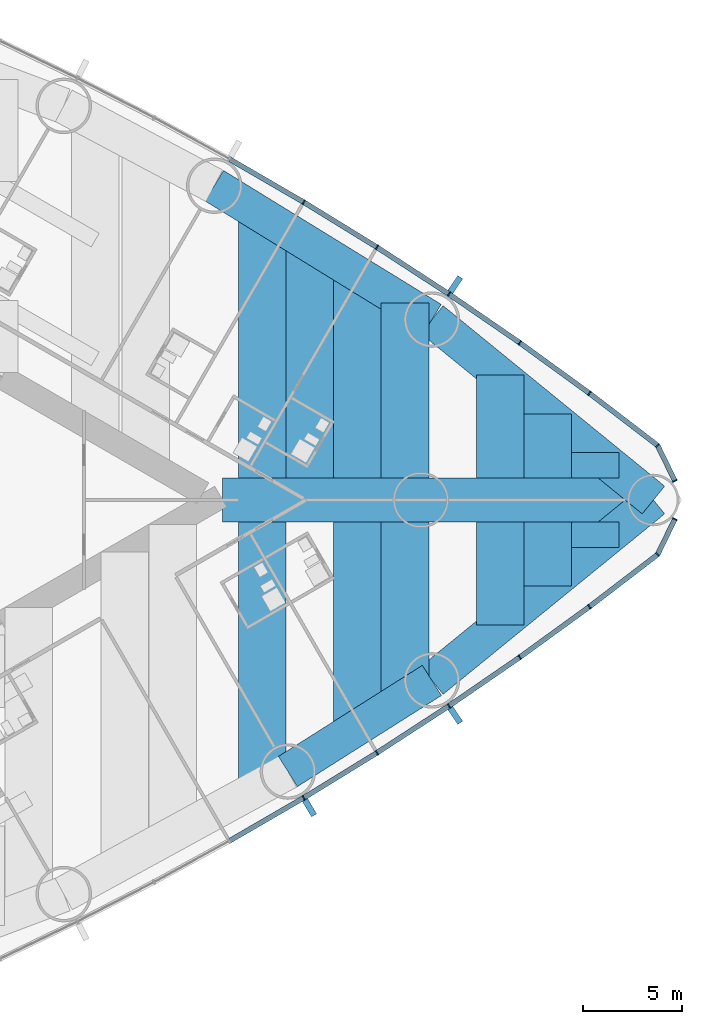
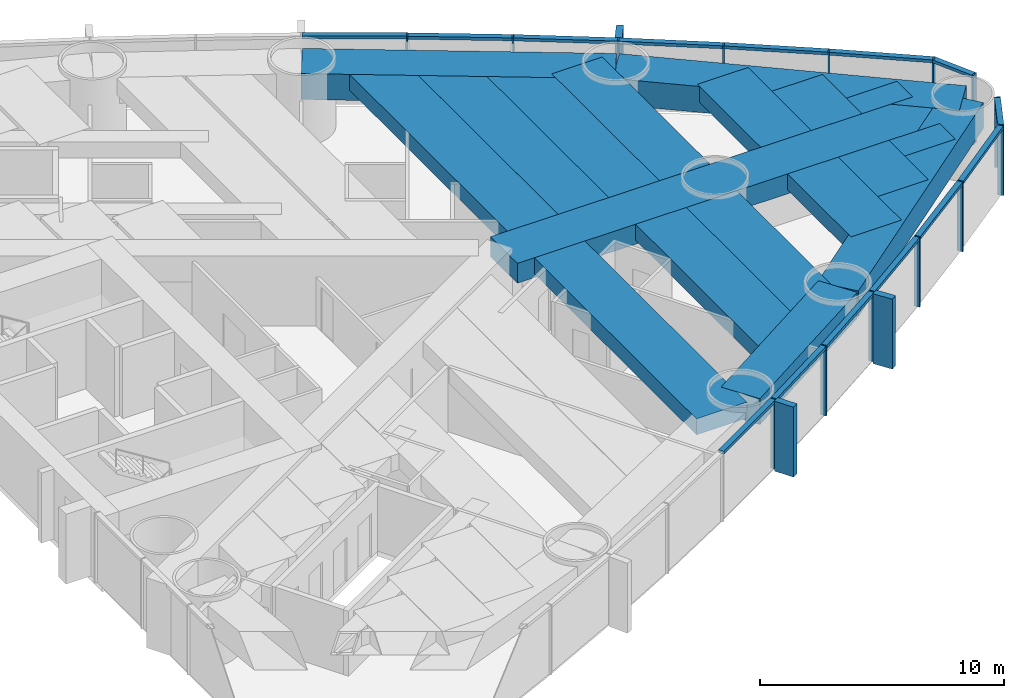
# One storey, part 8 of 19: 31 members, 18 beams, 2 elements without a shape of their own.
"""IFC4 building model written with IfcOpenShell, lengths in metres."""

from ifc_helpers import new_model, si_unit, direction, frame, origin, origin_2d, place, context, subcontext, project, spatial, rectangle, extrude, material, material_profile, profile_set, type_object, element, aggregate, save


model = new_model("IFC4")

# Units and contexts
model_context = context("Model", 3, precision=1e-05, world=origin(), true_north=direction((0.0, 1.0)))
body_context = subcontext(model_context, "Body", "Model", "MODEL_VIEW")
ifc_project = project(units=[si_unit("LENGTHUNIT", "METRE"), si_unit("AREAUNIT", "SQUARE_METRE"), si_unit("VOLUMEUNIT", "CUBIC_METRE"), si_unit("PLANEANGLEUNIT", "RADIAN"), si_unit("MASSUNIT", "GRAM", prefix="KILO")], contexts=[model_context])

# Site, building, storey
site_placement = place(None, origin())
site = spatial("IfcSite", under=ifc_project, at=site_placement, CompositionType="ELEMENT")
building_placement = place(site_placement, origin())
building = spatial("IfcBuilding", under=site, at=building_placement, Name="Lancet Gate Hotel", CompositionType="ELEMENT")
storey_placement = place(building_placement, frame((0.0, 0.0, 21.5)))
storey = spatial("IfcBuildingStorey", under=building, at=storey_placement, Name="L04", CompositionType="ELEMENT", Elevation=21.5)

# Curtain wall, members
ifc_material_1 = material(Name="Aluminium curtain wall", Category="aluminium")
curtain_wall_type = type_object("IfcCurtainWallType", Name="Tower unitised curtain wall", PredefinedType="USERDEFINED", material=ifc_material_1)
curtain_wall_1_placement = place(storey_placement, origin())
curtain_wall_1 = element("IfcCurtainWall", 1, at=curtain_wall_1_placement, inside=storey, type_object=curtain_wall_type, Name="T2 L04 curtain wall 2", ObjectType="UNITISED CURTAIN WALL", PredefinedType="USERDEFINED")
ifc_material_2 = material(Name="Aluminium mullion", Category="aluminium")
ifc_material_profile_1 = material_profile(ifc_material_2, rectangle(XDim=0.06494140625, YDim=0.25, at=origin_2d()), Name="MULLION 65x250")
ifc_profile_set_1 = profile_set([ifc_material_profile_1], Name="Aluminium mullion")
member_type_1 = type_object("IfcMemberType", Name="Aluminium mullion 65x250", PredefinedType="MULLION", material=ifc_profile_set_1)
member_1_placement = place(storey_placement, frame((55.590087890625, -15.03125, 0.0), z_axis=(0.0, 0.0, 1.0), x_axis=(0.858413008828, 0.512959166284, 0.0)))
member_1 = element("IfcMember", 2, at=member_1_placement, type_object=member_type_1, Name="T2 L04 curtain wall 2 mullion 8", PredefinedType="MULLION", context=body_context, shape_type="SweptSolid", body=[
    extrude(rectangle(XDim=0.06494140625, YDim=0.25, at=origin_2d()), origin(), (0.0, 0.0, 1.0), 3.5),
])
member_2_placement = place(storey_placement, frame((59.28515625, -12.7587890625, 0.0), z_axis=(0.0, 0.0, 1.0), x_axis=(0.845079420983, 0.534640788035, 0.0)))
member_2 = element("IfcMember", 3, at=member_2_placement, type_object=member_type_1, Name="T2 L04 curtain wall 2 mullion 9", PredefinedType="MULLION", context=body_context, shape_type="SweptSolid", body=[
    extrude(rectangle(XDim=0.06494140625, YDim=0.25, at=origin_2d()), origin(), (0.0, 0.0, 1.0), 3.5),
])
member_3_placement = place(storey_placement, frame((62.921142578125, -10.393310546875, 0.0), z_axis=(0.0, 0.0, 1.0), x_axis=(0.831198325377, 0.555976028162, 0.0)))
member_3 = element("IfcMember", 4, at=member_3_placement, type_object=member_type_1, Name="T2 L04 curtain wall 2 mullion 10", PredefinedType="MULLION", context=body_context, shape_type="SweptSolid", body=[
    extrude(rectangle(XDim=0.06494140625, YDim=0.25, at=origin_2d()), origin(), (0.0, 0.0, 1.0), 3.5),
])
member_4_placement = place(storey_placement, frame((66.49560546875, -7.935791015625, 0.0), z_axis=(0.0, 0.0, 1.0), x_axis=(0.816778715254, 0.576951064049, 0.0)))
member_4 = element("IfcMember", 5, at=member_4_placement, type_object=member_type_1, Name="T2 L04 curtain wall 2 mullion 11", PredefinedType="MULLION", context=body_context, shape_type="SweptSolid", body=[
    extrude(rectangle(XDim=0.06494140625, YDim=0.25, at=origin_2d()), origin(), (0.0, 0.0, 1.0), 3.5),
])
member_5_placement = place(storey_placement, frame((70.00634765625, -5.388427734375, 0.0), z_axis=(0.0, 0.0, 1.0), x_axis=(0.801829932754, 0.597552306447, 0.0)))
member_5 = element("IfcMember", 6, at=member_5_placement, type_object=member_type_1, Name="T2 L04 curtain wall 2 mullion 12", PredefinedType="MULLION", context=body_context, shape_type="SweptSolid", body=[
    extrude(rectangle(XDim=0.06494140625, YDim=0.25, at=origin_2d()), origin(), (0.0, 0.0, 1.0), 3.5),
])
member_6_placement = place(storey_placement, frame((73.451416015625, -2.752197265625, 0.0), z_axis=(0.0, 0.0, 1.0), x_axis=(0.697983022443, 0.716114306784, 0.0)))
member_6 = element("IfcMember", 7, at=member_6_placement, type_object=member_type_1, Name="T2 L04 curtain wall 2 mullion 13", PredefinedType="MULLION", context=body_context, shape_type="SweptSolid", body=[
    extrude(rectangle(XDim=0.06494140625, YDim=0.25, at=origin_2d()), origin(), (0.0, 0.0, 1.0), 3.5),
])
member_7_placement = place(storey_placement, frame((74.322265625, -0.96044921875, 0.0), z_axis=(0.0, 0.0, 1.0), x_axis=(0.437169070119, 0.899379343843, 0.0)))
member_7 = element("IfcMember", 8, at=member_7_placement, type_object=member_type_1, Name="T2 L04 curtain wall 2 mullion 14", PredefinedType="MULLION", context=body_context, shape_type="SweptSolid", body=[
    extrude(rectangle(XDim=0.06494140625, YDim=0.25, at=origin_2d()), origin(), (0.0, 0.0, 1.0), 3.5),
])

curtain_wall_2_placement = place(storey_placement, origin())
curtain_wall_2 = element("IfcCurtainWall", 9, at=curtain_wall_2_placement, inside=storey, type_object=curtain_wall_type, Name="T2 L04 curtain wall 3", ObjectType="UNITISED CURTAIN WALL", PredefinedType="USERDEFINED")
member_8_placement = place(storey_placement, frame((74.322265625, 0.96044921875, 0.0), z_axis=(0.0, 0.0, 1.0), x_axis=(-0.437169070119, 0.899379343843, 0.0)))
member_8 = element("IfcMember", 10, at=member_8_placement, type_object=member_type_1, Name="T2 L04 curtain wall 3 mullion 1", PredefinedType="MULLION", context=body_context, shape_type="SweptSolid", body=[
    extrude(rectangle(XDim=0.06494140625, YDim=0.25, at=origin_2d()), origin(), (0.0, 0.0, 1.0), 3.5),
])
member_9_placement = place(storey_placement, frame((73.451416015625, 2.752197265625, 0.0), z_axis=(0.0, 0.0, 1.0), x_axis=(-0.697983022443, 0.716114306784, 0.0)))
member_9 = element("IfcMember", 11, at=member_9_placement, type_object=member_type_1, Name="T2 L04 curtain wall 3 mullion 2", PredefinedType="MULLION", context=body_context, shape_type="SweptSolid", body=[
    extrude(rectangle(XDim=0.06494140625, YDim=0.25, at=origin_2d()), origin(), (0.0, 0.0, 1.0), 3.5),
])
member_10_placement = place(storey_placement, frame((70.00634765625, 5.388427734375, 0.0), z_axis=(0.0, 0.0, 1.0), x_axis=(-0.801829932754, 0.597552306447, 0.0)))
member_10 = element("IfcMember", 12, at=member_10_placement, type_object=member_type_1, Name="T2 L04 curtain wall 3 mullion 3", PredefinedType="MULLION", context=body_context, shape_type="SweptSolid", body=[
    extrude(rectangle(XDim=0.06494140625, YDim=0.25, at=origin_2d()), origin(), (0.0, 0.0, 1.0), 3.5),
])
member_11_placement = place(storey_placement, frame((66.49560546875, 7.935791015625, 0.0), z_axis=(0.0, 0.0, 1.0), x_axis=(-0.816778715254, 0.576951064049, 0.0)))
member_11 = element("IfcMember", 13, at=member_11_placement, type_object=member_type_1, Name="T2 L04 curtain wall 3 mullion 4", PredefinedType="MULLION", context=body_context, shape_type="SweptSolid", body=[
    extrude(rectangle(XDim=0.06494140625, YDim=0.25, at=origin_2d()), origin(), (0.0, 0.0, 1.0), 3.5),
])
member_12_placement = place(storey_placement, frame((62.921142578125, 10.393310546875, 0.0), z_axis=(0.0, 0.0, 1.0), x_axis=(-0.831198325377, 0.555976028162, 0.0)))
member_12 = element("IfcMember", 14, at=member_12_placement, type_object=member_type_1, Name="T2 L04 curtain wall 3 mullion 5", PredefinedType="MULLION", context=body_context, shape_type="SweptSolid", body=[
    extrude(rectangle(XDim=0.06494140625, YDim=0.25, at=origin_2d()), origin(), (0.0, 0.0, 1.0), 3.5),
])
member_13_placement = place(storey_placement, frame((59.28515625, 12.7587890625, 0.0), z_axis=(0.0, 0.0, 1.0), x_axis=(-0.845079420983, 0.534640788035, 0.0)))
member_13 = element("IfcMember", 15, at=member_13_placement, type_object=member_type_1, Name="T2 L04 curtain wall 3 mullion 6", PredefinedType="MULLION", context=body_context, shape_type="SweptSolid", body=[
    extrude(rectangle(XDim=0.06494140625, YDim=0.25, at=origin_2d()), origin(), (0.0, 0.0, 1.0), 3.5),
])
member_14_placement = place(storey_placement, frame((55.590087890625, 15.03125, 0.0), z_axis=(0.0, 0.0, 1.0), x_axis=(-0.858413008828, 0.512959166284, 0.0)))
member_14 = element("IfcMember", 16, at=member_14_placement, type_object=member_type_1, Name="T2 L04 curtain wall 3 mullion 7", PredefinedType="MULLION", context=body_context, shape_type="SweptSolid", body=[
    extrude(rectangle(XDim=0.06494140625, YDim=0.25, at=origin_2d()), origin(), (0.0, 0.0, 1.0), 3.5),
])

# Member
ifc_material_3 = material(Name="Aluminium transom", Category="aluminium")
ifc_material_profile_2 = material_profile(ifc_material_3, rectangle(XDim=0.25, YDim=0.14990234375, at=origin_2d()), Name="TRANSOM 250x150")
ifc_profile_set_2 = profile_set([ifc_material_profile_2], Name="Aluminium transom")
member_type_2 = type_object("IfcMemberType", Name="Aluminium transom 250x150", PredefinedType="USERDEFINED", material=ifc_profile_set_2)
member_15_placement = place(storey_placement, frame((51.86669921875, -17.1923828125, 3.425048828125), z_axis=(0.864854571156, 0.502022480324, 0.0), x_axis=(-0.502022480324, 0.864854571156, 0.0)))
member_15 = element("IfcMember", 17, at=member_15_placement, type_object=member_type_2, Name="T2 L04 curtain wall 2 transom 7", ObjectType="TRANSOM", PredefinedType="USERDEFINED", context=body_context, shape_type="SweptSolid", body=[
    extrude(rectangle(XDim=0.25, YDim=0.14990234375, at=origin_2d()), origin(), (0.0, 0.0, 1.0), 4.272705078125),
])

member_16_placement = place(storey_placement, frame((55.617919921875, -15.01416015625, 3.425048828125), z_axis=(0.851815224451, 0.523842365023, 0.0), x_axis=(-0.523842365023, 0.851815224451, 0.0)))
member_16 = element("IfcMember", 18, at=member_16_placement, type_object=member_type_2, Name="T2 L04 curtain wall 2 transom 8", ObjectType="TRANSOM", PredefinedType="USERDEFINED", context=body_context, shape_type="SweptSolid", body=[
    extrude(rectangle(XDim=0.25, YDim=0.14990234375, at=origin_2d()), origin(), (0.0, 0.0, 1.0), 4.272705078125),
])

member_17_placement = place(storey_placement, frame((59.3125, -12.7412109375, 3.425048828125), z_axis=(0.83817850664, 0.545395994674, 0.0), x_axis=(-0.545395994674, 0.83817850664, 0.0)))
member_17 = element("IfcMember", 19, at=member_17_placement, type_object=member_type_2, Name="T2 L04 curtain wall 2 transom 9", ObjectType="TRANSOM", PredefinedType="USERDEFINED", context=body_context, shape_type="SweptSolid", body=[
    extrude(rectangle(XDim=0.25, YDim=0.14990234375, at=origin_2d()), origin(), (0.0, 0.0, 1.0), 4.272705078125),
])

member_18_placement = place(storey_placement, frame((62.94775390625, -10.374755859375, 3.425048828125), z_axis=(0.824071932869, 0.566485171437, 0.0), x_axis=(-0.566485171437, 0.824071932869, 0.0)))
member_18 = element("IfcMember", 20, at=member_18_placement, type_object=member_type_2, Name="T2 L04 curtain wall 2 transom 10", ObjectType="TRANSOM", PredefinedType="USERDEFINED", context=body_context, shape_type="SweptSolid", body=[
    extrude(rectangle(XDim=0.25, YDim=0.14990234375, at=origin_2d()), origin(), (0.0, 0.0, 1.0), 4.272705078125),
])

member_19_placement = place(storey_placement, frame((66.52197265625, -7.916748046875, 3.425048828125), z_axis=(0.809382971085, 0.587281198505, 0.0), x_axis=(-0.587281198505, 0.809382971085, 0.0)))
member_19 = element("IfcMember", 21, at=member_19_placement, type_object=member_type_2, Name="T2 L04 curtain wall 2 transom 11", ObjectType="TRANSOM", PredefinedType="USERDEFINED", context=body_context, shape_type="SweptSolid", body=[
    extrude(rectangle(XDim=0.25, YDim=0.14990234375, at=origin_2d()), origin(), (0.0, 0.0, 1.0), 4.272705078125),
])

member_20_placement = place(storey_placement, frame((70.0322265625, -5.36865234375, 3.425048828125), z_axis=(0.794155062652, 0.607715177089, 0.0), x_axis=(-0.607715177089, 0.794155062652, 0.0)))
member_20 = element("IfcMember", 22, at=member_20_placement, type_object=member_type_2, Name="T2 L04 curtain wall 2 transom 12", ObjectType="TRANSOM", PredefinedType="USERDEFINED", context=body_context, shape_type="SweptSolid", body=[
    extrude(rectangle(XDim=0.25, YDim=0.14990234375, at=origin_2d()), origin(), (0.0, 0.0, 1.0), 4.27294921875),
])

member_21_placement = place(storey_placement, frame((73.465576171875, -2.72314453125, 3.425048828125), z_axis=(0.437103060611, 0.899411426659, 0.0), x_axis=(-0.899411426659, 0.437103060611, 0.0)))
member_21 = element("IfcMember", 23, at=member_21_placement, type_object=member_type_2, Name="T2 L04 curtain wall 2 transom 13", ObjectType="TRANSOM", PredefinedType="USERDEFINED", context=body_context, shape_type="SweptSolid", body=[
    extrude(rectangle(XDim=0.25, YDim=0.14990234375, at=origin_2d()), origin(), (0.0, 0.0, 1.0), 1.927490234375),
])

member_22_placement = place(storey_placement, frame((74.30810546875, 0.989501953125, 3.425048828125), z_axis=(-0.437103060611, 0.899411426659, 0.0), x_axis=(-0.899411426659, -0.437103060611, 0.0)))
member_22 = element("IfcMember", 24, at=member_22_placement, type_object=member_type_2, Name="T2 L04 curtain wall 3 transom 1", ObjectType="TRANSOM", PredefinedType="USERDEFINED", context=body_context, shape_type="SweptSolid", body=[
    extrude(rectangle(XDim=0.25, YDim=0.14990234375, at=origin_2d()), origin(), (0.0, 0.0, 1.0), 1.927490234375),
])

member_23_placement = place(storey_placement, frame((73.425537109375, 2.77197265625, 3.425048828125), z_axis=(-0.794155062652, 0.607715177089, 0.0), x_axis=(-0.607715177089, -0.794155062652, 0.0)))
member_23 = element("IfcMember", 25, at=member_23_placement, type_object=member_type_2, Name="T2 L04 curtain wall 3 transom 2", ObjectType="TRANSOM", PredefinedType="USERDEFINED", context=body_context, shape_type="SweptSolid", body=[
    extrude(rectangle(XDim=0.25, YDim=0.14990234375, at=origin_2d()), origin(), (0.0, 0.0, 1.0), 4.27294921875),
])

member_24_placement = place(storey_placement, frame((69.980224609375, 5.407470703125, 3.425048828125), z_axis=(-0.809382971085, 0.587281198505, 0.0), x_axis=(-0.587281198505, -0.809382971085, 0.0)))
member_24 = element("IfcMember", 26, at=member_24_placement, type_object=member_type_2, Name="T2 L04 curtain wall 3 transom 3", ObjectType="TRANSOM", PredefinedType="USERDEFINED", context=body_context, shape_type="SweptSolid", body=[
    extrude(rectangle(XDim=0.25, YDim=0.14990234375, at=origin_2d()), origin(), (0.0, 0.0, 1.0), 4.272705078125),
])

member_25_placement = place(storey_placement, frame((66.46875, 7.954345703125, 3.425048828125), z_axis=(-0.824071932869, 0.566485171437, 0.0), x_axis=(-0.566485171437, -0.824071932869, 0.0)))
member_25 = element("IfcMember", 27, at=member_25_placement, type_object=member_type_2, Name="T2 L04 curtain wall 3 transom 4", ObjectType="TRANSOM", PredefinedType="USERDEFINED", context=body_context, shape_type="SweptSolid", body=[
    extrude(rectangle(XDim=0.25, YDim=0.14990234375, at=origin_2d()), origin(), (0.0, 0.0, 1.0), 4.272705078125),
])

member_26_placement = place(storey_placement, frame((62.893798828125, 10.410888671875, 3.425048828125), z_axis=(-0.83817850664, 0.545395994674, 0.0), x_axis=(-0.545395994674, -0.83817850664, 0.0)))
member_26 = element("IfcMember", 28, at=member_26_placement, type_object=member_type_2, Name="T2 L04 curtain wall 3 transom 5", ObjectType="TRANSOM", PredefinedType="USERDEFINED", context=body_context, shape_type="SweptSolid", body=[
    extrude(rectangle(XDim=0.25, YDim=0.14990234375, at=origin_2d()), origin(), (0.0, 0.0, 1.0), 4.272705078125),
])

member_27_placement = place(storey_placement, frame((59.257568359375, 12.77587890625, 3.425048828125), z_axis=(-0.851815224451, 0.523842365023, 0.0), x_axis=(-0.523842365023, -0.851815224451, 0.0)))
member_27 = element("IfcMember", 29, at=member_27_placement, type_object=member_type_2, Name="T2 L04 curtain wall 3 transom 6", ObjectType="TRANSOM", PredefinedType="USERDEFINED", context=body_context, shape_type="SweptSolid", body=[
    extrude(rectangle(XDim=0.25, YDim=0.14990234375, at=origin_2d()), origin(), (0.0, 0.0, 1.0), 4.272705078125),
])

member_28_placement = place(storey_placement, frame((55.56201171875, 15.04736328125, 3.425048828125), z_axis=(-0.864854571156, 0.502022480324, 0.0), x_axis=(-0.502022480324, -0.864854571156, 0.0)))
member_28 = element("IfcMember", 30, at=member_28_placement, type_object=member_type_2, Name="T2 L04 curtain wall 3 transom 7", ObjectType="TRANSOM", PredefinedType="USERDEFINED", context=body_context, shape_type="SweptSolid", body=[
    extrude(rectangle(XDim=0.25, YDim=0.14990234375, at=origin_2d()), origin(), (0.0, 0.0, 1.0), 4.272705078125),
])

# Beams
ifc_material_4 = material(Name="Concrete C50/60", Category="concrete")
ifc_material_profile_3 = material_profile(ifc_material_4, rectangle(XDim=1.800048828125, YDim=1.300048828125, at=origin_2d()), Name="RC 1800x1300")
ifc_profile_set_3 = profile_set([ifc_material_profile_3], Name="Concrete C50/60")
beam_type_1 = type_object("IfcBeamType", Name="Edge beam RC 1800x1300", PredefinedType="SPANDREL", material=ifc_profile_set_3)
beam_1_placement = place(storey_placement, frame((54.795166015625, -13.70068359375, 2.60009765625), z_axis=(0.845078312276, 0.534642540508, 0.0), x_axis=(-0.534642540508, 0.845078312276, 0.0)))
element("IfcBeam", 31, at=beam_1_placement, inside=storey, type_object=beam_type_1, Name="T2 edge beam EB1 L04", PredefinedType="SPANDREL", context=body_context, shape_type="SweptSolid", body=[
    extrude(rectangle(XDim=1.800048828125, YDim=1.300048828125, at=origin_2d()), origin(), (0.0, 0.0, 1.0), 8.595947265625),
])
for number, where, z_axis, x_axis, name in (
    (32, (62.059326171875, -9.10498046875, 2.60009765625), (0.775390970005, 0.631481467372, 0.0), (-0.631481467372, 0.775390970005, 0.0), "T2 edge beam EB1 L04"),
    (33, (73.2392578125, 0.0, 2.60009765625), (-0.775390970005, 0.631481467372, 0.0), (-0.631481467372, -0.775390970005, 0.0), "T2 edge beam EB1 L04"),
):
    element("IfcBeam", number, at=place(storey_placement, frame(where, z_axis=z_axis, x_axis=x_axis)), inside=storey, type_object=beam_type_1, Name=name, PredefinedType="SPANDREL", context=body_context, shape_type="SweptSolid", body=[
        extrude(rectangle(XDim=1.800048828125, YDim=1.300048828125, at=origin_2d()), origin(), (0.0, 0.0, 1.0), 14.41845703125),
    ])
beam_2_placement = place(storey_placement, frame((62.059326171875, 9.10498046875, 2.60009765625), z_axis=(-0.851815628025, 0.523841708775, 0.0), x_axis=(-0.523841708775, -0.851815628025, 0.0)))
element("IfcBeam", 34, at=beam_2_placement, inside=storey, type_object=beam_type_1, Name="T2 edge beam EB1 L04", PredefinedType="SPANDREL", context=body_context, shape_type="SweptSolid", body=[
    extrude(rectangle(XDim=1.800048828125, YDim=1.300048828125, at=origin_2d()), origin(), (0.0, 0.0, 1.0), 12.89208984375),
])

# Member
ifc_material_5 = material(Name="Precast concrete C50/60", Category="concrete")
ifc_material_profile_4 = material_profile(ifc_material_5, rectangle(XDim=0.300048828125, YDim=0.89990234375, at=origin_2d()), Name="FIN 300x900")
ifc_profile_set_4 = profile_set([ifc_material_profile_4], Name="Precast concrete C50/60")
member_type_3 = type_object("IfcMemberType", Name="Exposed concrete fin 300x900", PredefinedType="USERDEFINED", material=ifc_profile_set_4)
member_29_placement = place(storey_placement, frame((55.88525390625, -15.524658203125, 0.0), z_axis=(0.0, 0.0, 1.0), x_axis=(0.858413008828, 0.512959166284, 0.0)))
member_29 = element("IfcMember", 35, at=member_29_placement, type_object=member_type_3, Name="T2 L04 curtain wall 2 fin 8", ObjectType="FIN", PredefinedType="USERDEFINED", context=body_context, shape_type="SweptSolid", body=[
    extrude(rectangle(XDim=0.300048828125, YDim=0.89990234375, at=origin_2d()), origin(), (0.0, 0.0, 1.0), 3.5),
])

member_30_placement = place(storey_placement, frame((63.24072265625, -10.87109375, 0.0), z_axis=(0.0, 0.0, 1.0), x_axis=(0.831198325377, 0.555976028162, 0.0)))
member_30 = element("IfcMember", 36, at=member_30_placement, type_object=member_type_3, Name="T2 L04 curtain wall 2 fin 10", ObjectType="FIN", PredefinedType="USERDEFINED", context=body_context, shape_type="SweptSolid", body=[
    extrude(rectangle(XDim=0.300048828125, YDim=0.89990234375, at=origin_2d()), origin(), (0.0, 0.0, 1.0), 3.5),
])

aggregate(curtain_wall_1, [member_1, member_29, member_2, member_3, member_30, member_4, member_5, member_6, member_7, member_15, member_16, member_17, member_18, member_19, member_20, member_21])

member_31_placement = place(storey_placement, frame((63.24072265625, 10.87109375, 0.0), z_axis=(0.0, 0.0, 1.0), x_axis=(-0.831198325377, 0.555976028162, 0.0)))
member_31 = element("IfcMember", 37, at=member_31_placement, type_object=member_type_3, Name="T2 L04 curtain wall 3 fin 5", ObjectType="FIN", PredefinedType="USERDEFINED", context=body_context, shape_type="SweptSolid", body=[
    extrude(rectangle(XDim=0.300048828125, YDim=0.89990234375, at=origin_2d()), origin(), (0.0, 0.0, 1.0), 3.5),
])

aggregate(curtain_wall_2, [member_8, member_9, member_10, member_11, member_12, member_31, member_13, member_14, member_22, member_23, member_24, member_25, member_26, member_27, member_28])

# Beams
ifc_material_6 = material(Name="Concrete C50/60", Category="concrete")
ifc_material_profile_5 = material_profile(ifc_material_6, rectangle(XDim=2.39990234375, YDim=0.800048828125, at=origin_2d()), Name="RC 2400x800")
ifc_profile_set_5 = profile_set([ifc_material_profile_5], Name="Concrete C50/60")
beam_type_2 = type_object("IfcBeamType", Name="Floor beam RC 2400x800", PredefinedType="BEAM", material=ifc_profile_set_5)
beam_3_placement = place(storey_placement, frame((53.502197265625, -14.40771484375, 2.85009765625), z_axis=(0.0, 1.0, 0.0), x_axis=(-1.0, 0.0, 0.0)))
element("IfcBeam", 38, at=beam_3_placement, inside=storey, type_object=beam_type_2, Name="T2 floor beam F16S L04", PredefinedType="BEAM", context=body_context, shape_type="SweptSolid", body=[
    extrude(rectangle(XDim=2.39990234375, YDim=0.800048828125, at=origin_2d()), origin(), (0.0, 0.0, 1.0), 13.3076171875),
])
beam_4_placement = place(storey_placement, frame((53.502197265625, 1.10009765625, 2.85009765625), z_axis=(0.0, 1.0, 0.0), x_axis=(-1.0, 0.0, 0.0)))
element("IfcBeam", 39, at=beam_4_placement, inside=storey, type_object=beam_type_2, Name="T2 floor beam F17N L04", PredefinedType="BEAM", context=body_context, shape_type="SweptSolid", body=[
    extrude(rectangle(XDim=2.39990234375, YDim=0.800048828125, at=origin_2d()), origin(), (0.0, 0.0, 1.0), 13.26708984375),
])
beam_5_placement = place(storey_placement, frame((55.90234375, 1.10009765625, 2.85009765625), z_axis=(0.0, 1.0, 0.0), x_axis=(-1.0, 0.0, 0.0)))
element("IfcBeam", 40, at=beam_5_placement, inside=storey, type_object=beam_type_2, Name="T2 floor beam F18N L04", PredefinedType="BEAM", context=body_context, shape_type="SweptSolid", body=[
    extrude(rectangle(XDim=2.39990234375, YDim=0.800048828125, at=origin_2d()), origin(), (0.0, 0.0, 1.0), 11.791259765625),
])
beam_6_placement = place(storey_placement, frame((58.30224609375, -11.48193359375, 2.85009765625), z_axis=(0.0, 1.0, 0.0), x_axis=(-1.0, 0.0, 0.0)))
element("IfcBeam", 41, at=beam_6_placement, inside=storey, type_object=beam_type_2, Name="T2 floor beam F19S L04", PredefinedType="BEAM", context=body_context, shape_type="SweptSolid", body=[
    extrude(rectangle(XDim=2.39990234375, YDim=0.800048828125, at=origin_2d()), origin(), (0.0, 0.0, 1.0), 10.3818359375),
])
beam_7_placement = place(storey_placement, frame((58.30224609375, 1.10009765625, 2.85009765625), z_axis=(0.0, 1.0, 0.0), x_axis=(-1.0, 0.0, 0.0)))
element("IfcBeam", 42, at=beam_7_placement, inside=storey, type_object=beam_type_2, Name="T2 floor beam F20N L04", PredefinedType="BEAM", context=body_context, shape_type="SweptSolid", body=[
    extrude(rectangle(XDim=2.39990234375, YDim=0.800048828125, at=origin_2d()), origin(), (0.0, 0.0, 1.0), 10.3154296875),
])
beam_8_placement = place(storey_placement, frame((60.7021484375, -9.96337890625, 2.85009765625), z_axis=(0.0, 1.0, 0.0), x_axis=(-1.0, 0.0, 0.0)))
element("IfcBeam", 43, at=beam_8_placement, inside=storey, type_object=beam_type_2, Name="T2 floor beam F21S L04", PredefinedType="BEAM", context=body_context, shape_type="SweptSolid", body=[
    extrude(rectangle(XDim=2.39990234375, YDim=0.800048828125, at=origin_2d()), origin(), (0.0, 0.0, 1.0), 8.86328125),
])
beam_9_placement = place(storey_placement, frame((60.7021484375, 1.10009765625, 2.85009765625), z_axis=(0.0, 1.0, 0.0), x_axis=(-1.0, 0.0, 0.0)))
element("IfcBeam", 44, at=beam_9_placement, inside=storey, type_object=beam_type_2, Name="T2 floor beam F22N L04", PredefinedType="BEAM", context=body_context, shape_type="SweptSolid", body=[
    extrude(rectangle(XDim=2.39990234375, YDim=0.800048828125, at=origin_2d()), origin(), (0.0, 0.0, 1.0), 8.83935546875),
])
for number, where, z_axis, x_axis, name in (
    (45, (65.502197265625, -6.301025390625, 2.85009765625), (0.0, 1.0, 0.0), (-1.0, 0.0, 0.0), "T2 floor beam F23S L04"),
    (46, (65.502197265625, 1.10009765625, 2.85009765625), (0.0, 1.0, 0.0), (-1.0, 0.0, 0.0), "T2 floor beam F24N L04"),
):
    element("IfcBeam", number, at=place(storey_placement, frame(where, z_axis=z_axis, x_axis=x_axis)), inside=storey, type_object=beam_type_2, Name=name, PredefinedType="BEAM", context=body_context, shape_type="SweptSolid", body=[
        extrude(rectangle(XDim=2.39990234375, YDim=0.800048828125, at=origin_2d()), origin(), (0.0, 0.0, 1.0), 5.200927734375),
    ])
for number, where, z_axis, x_axis, name in (
    (47, (67.90234375, -4.346435546875, 2.85009765625), (0.0, 1.0, 0.0), (-1.0, 0.0, 0.0), "T2 floor beam F25S L04"),
    (48, (67.90234375, 1.10009765625, 2.85009765625), (0.0, 1.0, 0.0), (-1.0, 0.0, 0.0), "T2 floor beam F26N L04"),
):
    element("IfcBeam", number, at=place(storey_placement, frame(where, z_axis=z_axis, x_axis=x_axis)), inside=storey, type_object=beam_type_2, Name=name, PredefinedType="BEAM", context=body_context, shape_type="SweptSolid", body=[
        extrude(rectangle(XDim=2.39990234375, YDim=0.800048828125, at=origin_2d()), origin(), (0.0, 0.0, 1.0), 3.246337890625),
    ])
for number, where, z_axis, x_axis, name in (
    (49, (70.30224609375, -2.391845703125, 2.85009765625), (0.0, 1.0, 0.0), (-1.0, 0.0, 0.0), "T2 floor beam F27S L04"),
    (50, (70.30224609375, 1.10009765625, 2.85009765625), (0.0, 1.0, 0.0), (-1.0, 0.0, 0.0), "T2 floor beam F28N L04"),
):
    element("IfcBeam", number, at=place(storey_placement, frame(where, z_axis=z_axis, x_axis=x_axis)), inside=storey, type_object=beam_type_2, Name=name, PredefinedType="BEAM", context=body_context, shape_type="SweptSolid", body=[
        extrude(rectangle(XDim=2.39990234375, YDim=0.800048828125, at=origin_2d()), origin(), (0.0, 0.0, 1.0), 1.291748046875),
    ])
ifc_material_7 = material(Name="Concrete C50/60", Category="concrete")
ifc_material_profile_6 = material_profile(ifc_material_7, rectangle(XDim=2.199951171875, YDim=1.0, at=origin_2d()), Name="RC 2200x1000")
ifc_profile_set_6 = profile_set([ifc_material_profile_6], Name="Concrete C50/60")
beam_type_3 = type_object("IfcBeamType", Name="Radial floor beam RC 2200x1000", PredefinedType="BEAM", material=ifc_profile_set_6)
beam_10_placement = place(storey_placement, frame((73.2392578125, 0.0, 2.75), z_axis=(-1.0, 0.0, 0.0), x_axis=(0.0, -1.0, 0.0)))
element("IfcBeam", 51, at=beam_10_placement, inside=storey, type_object=beam_type_3, Name="T2 radial beam CA L04", PredefinedType="BEAM", context=body_context, shape_type="SweptSolid", body=[
    extrude(rectangle(XDim=2.199951171875, YDim=1.0, at=origin_2d()), origin(), (0.0, 0.0, 1.0), 21.737060546875),
])

save(model, "model.ifc")
